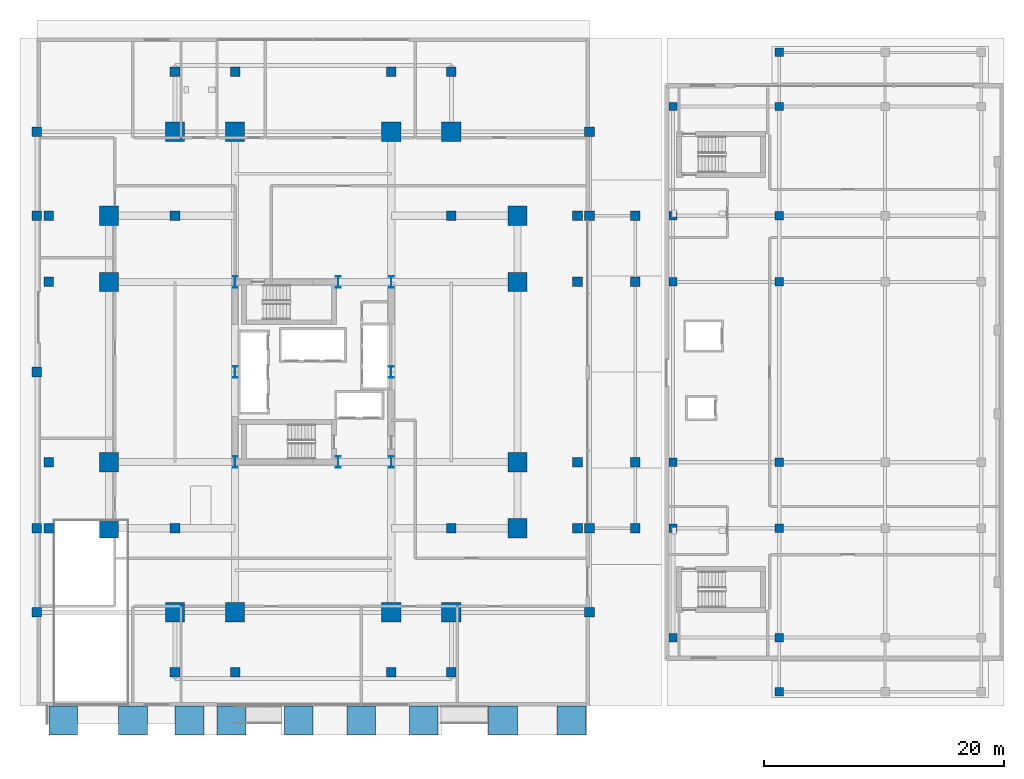
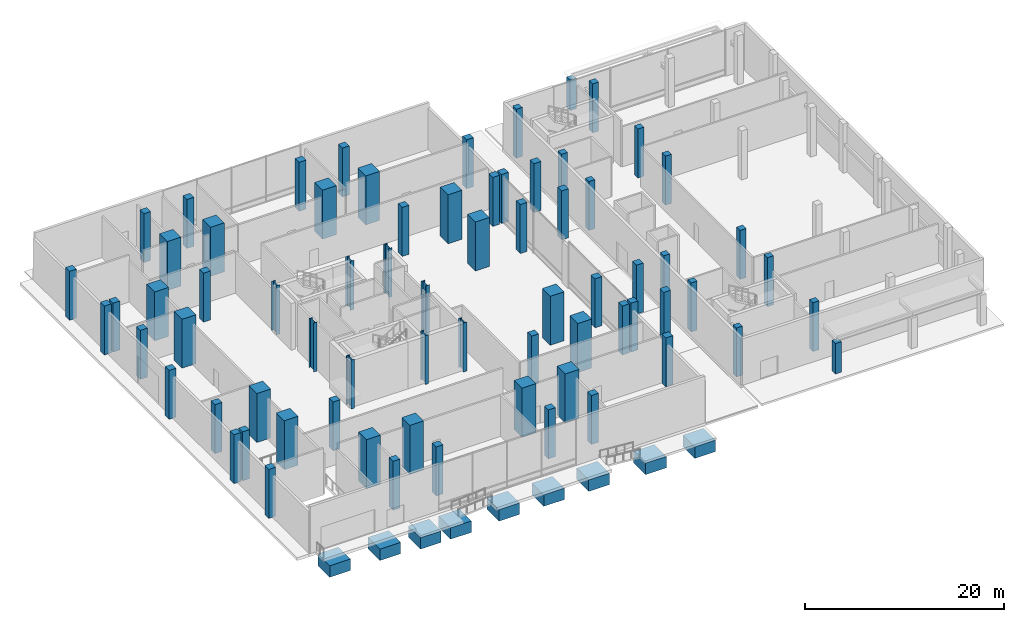
# One storey, part 1 of 34: 71 columns, 9 footings.
"""IFC4 building model written with IfcOpenShell, lengths in metres."""

from ifc_helpers import new_model, si_unit, direction, frame, origin, origin_2d, place, context, subcontext, project, spatial, rectangle, i_section, extrude, material, material_profile, profile_set, type_object, element, save


model = new_model("IFC4")

# Units and contexts
model_context = context("Model", 3, precision=1e-05, world=origin(), true_north=direction((0.0, 1.0)))
body_context = subcontext(model_context, "Body", "Model", "MODEL_VIEW")
ifc_project = project(units=[si_unit("LENGTHUNIT", "METRE"), si_unit("AREAUNIT", "SQUARE_METRE"), si_unit("VOLUMEUNIT", "CUBIC_METRE"), si_unit("PLANEANGLEUNIT", "RADIAN"), si_unit("MASSUNIT", "GRAM", prefix="KILO")], contexts=[model_context])

# Site, building, storey
site_placement = place(None, origin())
site = spatial("IfcSite", under=ifc_project, at=site_placement, CompositionType="ELEMENT")
building_placement = place(site_placement, origin())
building = spatial("IfcBuilding", under=site, at=building_placement, Name="Barlavira Tower and Art Museum", CompositionType="ELEMENT")
storey_placement = place(building_placement, origin())
storey = spatial("IfcBuildingStorey", under=building, at=storey_placement, Name="L00", CompositionType="ELEMENT", Elevation=0.0)

# Footings
ifc_material_1 = material(Name="Concrete C50", Category="concrete")
footing_type = type_object("IfcFootingType", Name="Garden Pergola Pad Footing 2400x2400x1400 Concrete C50", PredefinedType="PAD_FOOTING", material=ifc_material_1)
for number, where, z_axis, x_axis, name in (
    (1, (-10.300048828125, -29.0, -2.0), (0.0, 0.0, 1.0), (1.0, 0.0, 0.0), "South Esplanade Ramp Landing Pad Footing PF-PLZ-01"),
    (2, (-6.800048828125, -29.0, -2.0), (0.0, 0.0, 1.0), (1.0, 0.0, 0.0), "South Esplanade Ramp Landing Pad Footing PF-PLZ-02"),
    (3, (15.800048828125, -29.0, -2.0), (0.0, 0.0, 1.0), (1.0, 0.0, 0.0), "South Esplanade Ramp Landing Pad Footing PF-PLZ-03"),
    (4, (21.5, -29.0, -2.0), (0.0, 0.0, 1.0), (1.0, 0.0, 0.0), "South Esplanade Ramp Landing Pad Footing PF-PLZ-04"),
    (5, (-20.800048828125, -29.0, -1.75), (0.0, 0.0, 1.0), (1.0, 0.0, 0.0), "South Esplanade Upper Apron Pad Footing PF-PLZ-05"),
    (6, (-15.0, -29.0, -1.75), (0.0, 0.0, 1.0), (1.0, 0.0, 0.0), "South Esplanade Upper Apron Pad Footing PF-PLZ-06"),
    (7, (-1.199951171875, -29.0, -1.75), (0.0, 0.0, 1.0), (1.0, 0.0, 0.0), "South Esplanade Upper Apron Pad Footing PF-PLZ-07"),
    (8, (4.0, -29.0, -1.75), (0.0, 0.0, 1.0), (1.0, 0.0, 0.0), "South Esplanade Upper Apron Pad Footing PF-PLZ-08"),
    (9, (9.199951171875, -29.0, -1.75), (0.0, 0.0, 1.0), (1.0, 0.0, 0.0), "South Esplanade Upper Apron Pad Footing PF-PLZ-09"),
):
    element("IfcFooting", number, at=place(storey_placement, frame(where, z_axis=z_axis, x_axis=x_axis)), inside=storey, type_object=footing_type, Name=name, PredefinedType="PAD_FOOTING", context=body_context, shape_type="SweptSolid", body=[
        extrude(rectangle(XDim=2.39990234375, YDim=2.39990234375, at=origin_2d()), origin(), (0.0, 0.0, 1.0), 1.39990234375),
    ])

# Columns
ifc_material_2 = material(Name="Steel S355", Category="steel")
ifc_material_profile_1 = material_profile(ifc_material_2, i_section(OverallWidth=0.419921875, OverallDepth=0.9599609375, WebThickness=0.02197265625, FlangeThickness=0.033935546875, at=origin_2d()), Name="W920x387.0")
ifc_profile_set_1 = profile_set([ifc_material_profile_1], Name="Steel S355")
column_type_1 = type_object("IfcColumnType", Name="Core Composite Column W920x387 Steel S355", PredefinedType="COLUMN", material=ifc_profile_set_1)
for number, where, z_axis, x_axis, name in (
    (10, (-6.5, -7.5, 0.0), (0.0, 0.0, 1.0), (1.0, 0.0, 0.0), "L00 Column CC-L00-C1"),
    (11, (2.080078125, -7.5, 0.0), (0.0, 0.0, 1.0), (1.0, 0.0, 0.0), "L00 Column CC-L00-C2"),
    (12, (6.5, -7.5, 0.0), (0.0, 0.0, 1.0), (1.0, 0.0, 0.0), "L00 Column CC-L00-C3"),
    (13, (-6.5, 0.0, 0.0), (0.0, 0.0, 1.0), (1.0, 0.0, 0.0), "L00 Column CC-L00-C4"),
    (14, (6.5, 0.0, 0.0), (0.0, 0.0, 1.0), (1.0, 0.0, 0.0), "L00 Column CC-L00-C5"),
    (15, (-6.5, 7.5, 0.0), (0.0, 0.0, 1.0), (1.0, 0.0, 0.0), "L00 Column CC-L00-C6"),
    (16, (2.080078125, 7.5, 0.0), (0.0, 0.0, 1.0), (1.0, 0.0, 0.0), "L00 Column CC-L00-C7"),
    (17, (6.5, 7.5, 0.0), (0.0, 0.0, 1.0), (1.0, 0.0, 0.0), "L00 Column CC-L00-C8"),
):
    element("IfcColumn", number, at=place(storey_placement, frame(where, z_axis=z_axis, x_axis=x_axis)), inside=storey, type_object=column_type_1, Name=name, PredefinedType="COLUMN", context=body_context, shape_type="SweptSolid", body=[
        extrude(i_section(OverallWidth=0.419921875, OverallDepth=0.9599609375, WebThickness=0.02197265625, FlangeThickness=0.033935546875, at=origin_2d()), origin(), (0.0, 0.0, 1.0), 6.0),
    ])
ifc_material_profile_2 = material_profile(ifc_material_1, rectangle(XDim=0.699951171875, YDim=0.699951171875, at=origin_2d()), Name="RC-COL 700x700")
ifc_profile_set_2 = profile_set([ifc_material_profile_2], Name="Concrete C50")
column_type_2 = type_object("IfcColumnType", Name="Museum Frame Column 700x700 Concrete C50", PredefinedType="COLUMN", material=ifc_profile_set_2)
for number, where, z_axis, x_axis, name in (
    (18, (38.800048828125, -26.60009765625, 0.0), (0.0, 0.0, 1.0), (1.0, 0.0, 0.0), "L00 Pergola Column 1"),
    (19, (38.800048828125, 26.60009765625, 0.0), (0.0, 0.0, 1.0), (1.0, 0.0, 0.0), "L00 Pergola Column 4"),
):
    element("IfcColumn", number, at=place(storey_placement, frame(where, z_axis=z_axis, x_axis=x_axis)), inside=storey, type_object=column_type_2, Name=name, PredefinedType="COLUMN", context=body_context, shape_type="SweptSolid", body=[
        extrude(rectangle(XDim=0.699951171875, YDim=0.699951171875, at=origin_2d()), origin(), (0.0, 0.0, 1.0), 3.73095703125),
    ])
for number, where, z_axis, x_axis, name in (
    (20, (29.949951171875, -22.10009765625, 0.0), (0.0, 0.0, 1.0), (1.0, 0.0, 0.0), "L00 Museum Column 1-1"),
    (21, (29.949951171875, -13.0, 0.0), (0.0, 0.0, 1.0), (1.0, 0.0, 0.0), "L00 Museum Column 1-2"),
    (22, (29.949951171875, -7.5, 0.0), (0.0, 0.0, 1.0), (1.0, 0.0, 0.0), "L00 Museum Column 1-3"),
    (23, (29.949951171875, 7.5, 0.0), (0.0, 0.0, 1.0), (1.0, 0.0, 0.0), "L00 Museum Column 1-4"),
    (24, (29.949951171875, 13.0, 0.0), (0.0, 0.0, 1.0), (1.0, 0.0, 0.0), "L00 Museum Column 1-5"),
    (25, (29.949951171875, 22.10009765625, 0.0), (0.0, 0.0, 1.0), (1.0, 0.0, 0.0), "L00 Museum Column 1-6"),
    (26, (38.800048828125, -22.10009765625, 0.0), (0.0, 0.0, 1.0), (1.0, 0.0, 0.0), "L00 Museum Column 2-1"),
    (27, (38.800048828125, -13.0, 0.0), (0.0, 0.0, 1.0), (1.0, 0.0, 0.0), "L00 Museum Column 2-2"),
    (28, (38.800048828125, -7.5, 0.0), (0.0, 0.0, 1.0), (1.0, 0.0, 0.0), "L00 Museum Column 2-3"),
    (29, (38.800048828125, 7.5, 0.0), (0.0, 0.0, 1.0), (1.0, 0.0, 0.0), "L00 Museum Column 2-4"),
    (30, (38.800048828125, 13.0, 0.0), (0.0, 0.0, 1.0), (1.0, 0.0, 0.0), "L00 Museum Column 2-5"),
    (31, (38.800048828125, 22.10009765625, 0.0), (0.0, 0.0, 1.0), (1.0, 0.0, 0.0), "L00 Museum Column 2-6"),
):
    element("IfcColumn", number, at=place(storey_placement, frame(where, z_axis=z_axis, x_axis=x_axis)), inside=storey, type_object=column_type_2, Name=name, PredefinedType="COLUMN", context=body_context, shape_type="SweptSolid", body=[
        extrude(rectangle(XDim=0.699951171875, YDim=0.699951171875, at=origin_2d()), origin(), (0.0, 0.0, 1.0), 6.0),
    ])
ifc_material_3 = material(Name="Concrete C60", Category="concrete")
ifc_material_profile_3 = material_profile(ifc_material_3, rectangle(XDim=1.60009765625, YDim=1.60009765625, at=origin_2d()), Name="RC-MCOL 1600x1600")
ifc_profile_set_3 = profile_set([ifc_material_profile_3], Name="Concrete C60")
column_type_3 = type_object("IfcColumnType", Name="Perimeter Mega Column 1600x1600 Concrete C60", PredefinedType="USERDEFINED", material=ifc_profile_set_3)
for number, where, z_axis, x_axis, name in (
    (32, (-11.5, -20.0, 0.0), (0.0, 0.0, 1.0), (1.0, 0.0, 0.0), "L00 Column MC-L00-M01"),
    (33, (-6.5, -20.0, 0.0), (0.0, 0.0, 1.0), (1.0, 0.0, 0.0), "L00 Column MC-L00-M02"),
    (34, (6.5, -20.0, 0.0), (0.0, 0.0, 1.0), (1.0, 0.0, 0.0), "L00 Column MC-L00-M03"),
    (35, (11.5, -20.0, 0.0), (0.0, 0.0, 1.0), (1.0, 0.0, 0.0), "L00 Column MC-L00-M04"),
    (36, (17.0, -13.0, 0.0), (0.0, 0.0, 1.0), (1.0, 0.0, 0.0), "L00 Column MC-L00-M05"),
    (37, (17.0, -7.5, 0.0), (0.0, 0.0, 1.0), (1.0, 0.0, 0.0), "L00 Column MC-L00-M06"),
    (38, (17.0, 7.5, 0.0), (0.0, 0.0, 1.0), (1.0, 0.0, 0.0), "L00 Column MC-L00-M07"),
    (39, (17.0, 13.0, 0.0), (0.0, 0.0, 1.0), (1.0, 0.0, 0.0), "L00 Column MC-L00-M08"),
    (40, (11.5, 20.0, 0.0), (0.0, 0.0, 1.0), (1.0, 0.0, 0.0), "L00 Column MC-L00-M09"),
    (41, (6.5, 20.0, 0.0), (0.0, 0.0, 1.0), (1.0, 0.0, 0.0), "L00 Column MC-L00-M10"),
    (42, (-6.5, 20.0, 0.0), (0.0, 0.0, 1.0), (1.0, 0.0, 0.0), "L00 Column MC-L00-M11"),
    (43, (-11.5, 20.0, 0.0), (0.0, 0.0, 1.0), (1.0, 0.0, 0.0), "L00 Column MC-L00-M12"),
    (44, (-17.0, 13.0, 0.0), (0.0, 0.0, 1.0), (1.0, 0.0, 0.0), "L00 Column MC-L00-M13"),
    (45, (-17.0, 7.5, 0.0), (0.0, 0.0, 1.0), (1.0, 0.0, 0.0), "L00 Column MC-L00-M14"),
    (46, (-17.0, -7.5, 0.0), (0.0, 0.0, 1.0), (1.0, 0.0, 0.0), "L00 Column MC-L00-M15"),
    (47, (-17.0, -13.0, 0.0), (0.0, 0.0, 1.0), (1.0, 0.0, 0.0), "L00 Column MC-L00-M16"),
):
    element("IfcColumn", number, at=place(storey_placement, frame(where, z_axis=z_axis, x_axis=x_axis)), inside=storey, type_object=column_type_3, Name=name, ObjectType="MEGA COLUMN", PredefinedType="USERDEFINED", context=body_context, shape_type="SweptSolid", body=[
        extrude(rectangle(XDim=1.60009765625, YDim=1.60009765625, at=origin_2d()), origin(), (0.0, 0.0, 1.0), 6.0),
    ])
ifc_material_profile_4 = material_profile(ifc_material_1, rectangle(XDim=0.800048828125, YDim=0.800048828125, at=origin_2d()), Name="RC-COL 800x800")
ifc_profile_set_4 = profile_set([ifc_material_profile_4], Name="Concrete C50")
column_type_4 = type_object("IfcColumnType", Name="Podium Frame Column 800x800 Concrete C50", PredefinedType="COLUMN", material=ifc_profile_set_4)
for number, where, z_axis, x_axis, name in (
    (48, (-23.0, -20.0, 0.0), (0.0, 0.0, 1.0), (1.0, 0.0, 0.0), "L00 Column CP-L00-P1"),
    (49, (-23.0, -13.0, 0.0), (0.0, 0.0, 1.0), (1.0, 0.0, 0.0), "L00 Column CP-L00-P2"),
    (50, (-23.0, 0.0, 0.0), (0.0, 0.0, 1.0), (1.0, 0.0, 0.0), "L00 Column CP-L00-P3"),
    (51, (-23.0, 13.0, 0.0), (0.0, 0.0, 1.0), (1.0, 0.0, 0.0), "L00 Column CP-L00-P4"),
    (52, (-23.0, 20.0, 0.0), (0.0, 0.0, 1.0), (1.0, 0.0, 0.0), "L00 Column CP-L00-P5"),
    (53, (23.0, -20.0, 0.0), (0.0, 0.0, 1.0), (1.0, 0.0, 0.0), "L00 Column CP-L00-P6"),
    (54, (23.0, -13.0, 0.0), (0.0, 0.0, 1.0), (1.0, 0.0, 0.0), "L00 Column CP-L00-P7"),
    (55, (23.0, 13.0, 0.0), (0.0, 0.0, 1.0), (1.0, 0.0, 0.0), "L00 Column CP-L00-P8"),
    (56, (23.0, 20.0, 0.0), (0.0, 0.0, 1.0), (1.0, 0.0, 0.0), "L00 Column CP-L00-P9"),
    (57, (-11.5, -13.0, 0.0), (0.0, 0.0, 1.0), (1.0, 0.0, 0.0), "L00 Column CI-L00-I1"),
    (58, (11.5, -13.0, 0.0), (0.0, 0.0, 1.0), (1.0, 0.0, 0.0), "L00 Column CI-L00-I2"),
    (59, (-11.5, 13.0, 0.0), (0.0, 0.0, 1.0), (1.0, 0.0, 0.0), "L00 Column CI-L00-I3"),
    (60, (11.5, 13.0, 0.0), (0.0, 0.0, 1.0), (1.0, 0.0, 0.0), "L00 Column CI-L00-I4"),
    (61, (-11.5, -25.0, 0.0), (0.0, 0.0, 1.0), (1.0, 0.0, 0.0), "L00 Column CZ1-L00-N01"),
    (62, (-6.5, -25.0, 0.0), (0.0, 0.0, 1.0), (1.0, 0.0, 0.0), "L00 Column CZ1-L00-N02"),
    (63, (6.5, -25.0, 0.0), (0.0, 0.0, 1.0), (1.0, 0.0, 0.0), "L00 Column CZ1-L00-N02B"),
    (64, (11.5, -25.0, 0.0), (0.0, 0.0, 1.0), (1.0, 0.0, 0.0), "L00 Column CZ1-L00-N03"),
    (65, (-22.0, -13.0, 0.0), (0.0, 0.0, 1.0), (1.0, 0.0, 0.0), "L00 Column CZ1-L00-N04"),
    (66, (-22.0, -7.5, 0.0), (0.0, 0.0, 1.0), (1.0, 0.0, 0.0), "L00 Column CZ1-L00-N05"),
    (67, (-22.0, 7.5, 0.0), (0.0, 0.0, 1.0), (1.0, 0.0, 0.0), "L00 Column CZ1-L00-N05B"),
    (68, (-22.0, 13.0, 0.0), (0.0, 0.0, 1.0), (1.0, 0.0, 0.0), "L00 Column CZ1-L00-N06"),
    (69, (-11.5, 25.0, 0.0), (0.0, 0.0, 1.0), (1.0, 0.0, 0.0), "L00 Column CZ1-L00-N07"),
    (70, (-6.5, 25.0, 0.0), (0.0, 0.0, 1.0), (1.0, 0.0, 0.0), "L00 Column CZ1-L00-N08"),
    (71, (6.5, 25.0, 0.0), (0.0, 0.0, 1.0), (1.0, 0.0, 0.0), "L00 Column CZ1-L00-N08B"),
    (72, (11.5, 25.0, 0.0), (0.0, 0.0, 1.0), (1.0, 0.0, 0.0), "L00 Column CZ1-L00-N09"),
    (73, (22.0, -13.0, 0.0), (0.0, 0.0, 1.0), (1.0, 0.0, 0.0), "L00 Column CZ1-L00-N10"),
    (74, (22.0, -7.5, 0.0), (0.0, 0.0, 1.0), (1.0, 0.0, 0.0), "L00 Column CZ1-L00-N11"),
    (75, (22.0, 7.5, 0.0), (0.0, 0.0, 1.0), (1.0, 0.0, 0.0), "L00 Column CZ1-L00-N11B"),
    (76, (22.0, 13.0, 0.0), (0.0, 0.0, 1.0), (1.0, 0.0, 0.0), "L00 Column CZ1-L00-N12"),
    (77, (26.800048828125, -13.0, 0.0), (0.0, 0.0, 1.0), (1.0, 0.0, 0.0), "L00 Arcade Column 1"),
    (78, (26.800048828125, -7.5, 0.0), (0.0, 0.0, 1.0), (1.0, 0.0, 0.0), "L00 Arcade Column 2"),
    (79, (26.800048828125, 7.5, 0.0), (0.0, 0.0, 1.0), (1.0, 0.0, 0.0), "L00 Arcade Column 3"),
    (80, (26.800048828125, 13.0, 0.0), (0.0, 0.0, 1.0), (1.0, 0.0, 0.0), "L00 Arcade Column 4"),
):
    element("IfcColumn", number, at=place(storey_placement, frame(where, z_axis=z_axis, x_axis=x_axis)), inside=storey, type_object=column_type_4, Name=name, PredefinedType="COLUMN", context=body_context, shape_type="SweptSolid", body=[
        extrude(rectangle(XDim=0.800048828125, YDim=0.800048828125, at=origin_2d()), origin(), (0.0, 0.0, 1.0), 6.0),
    ])

save(model, "model.ifc")
